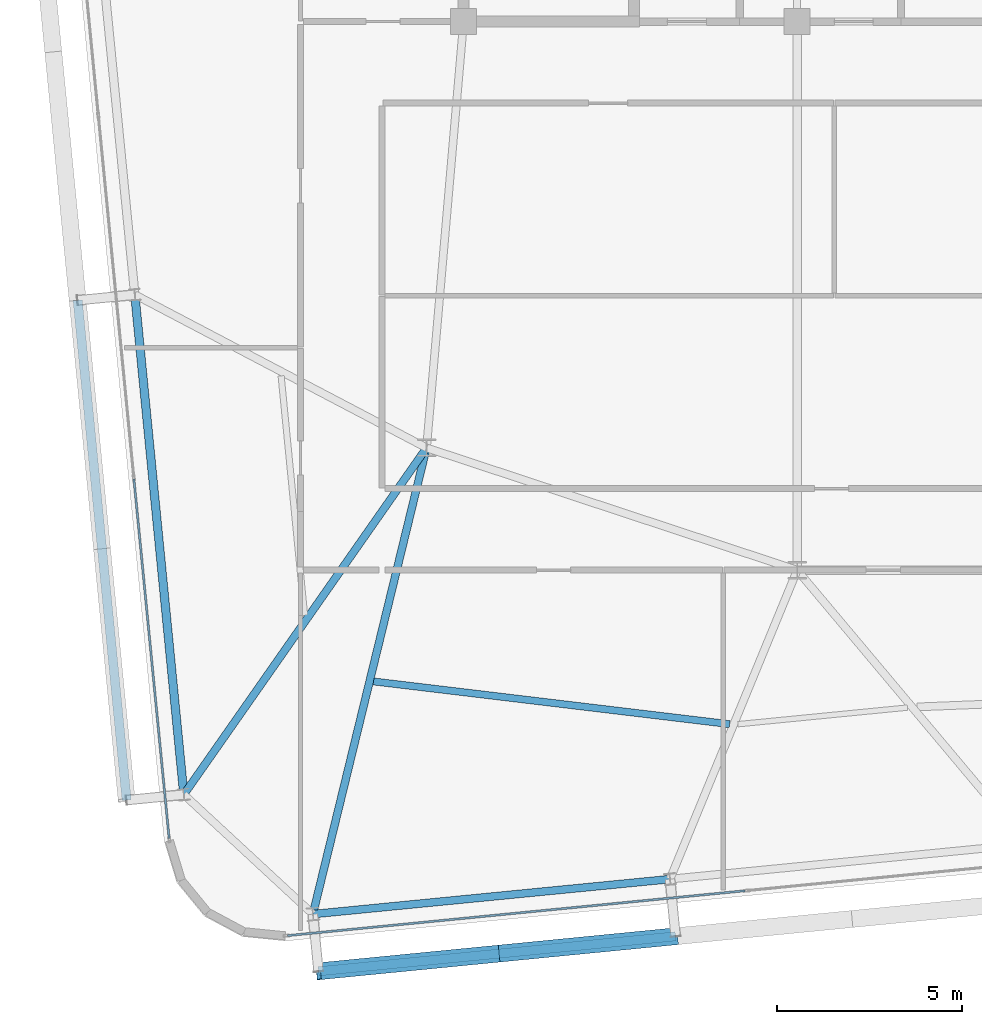
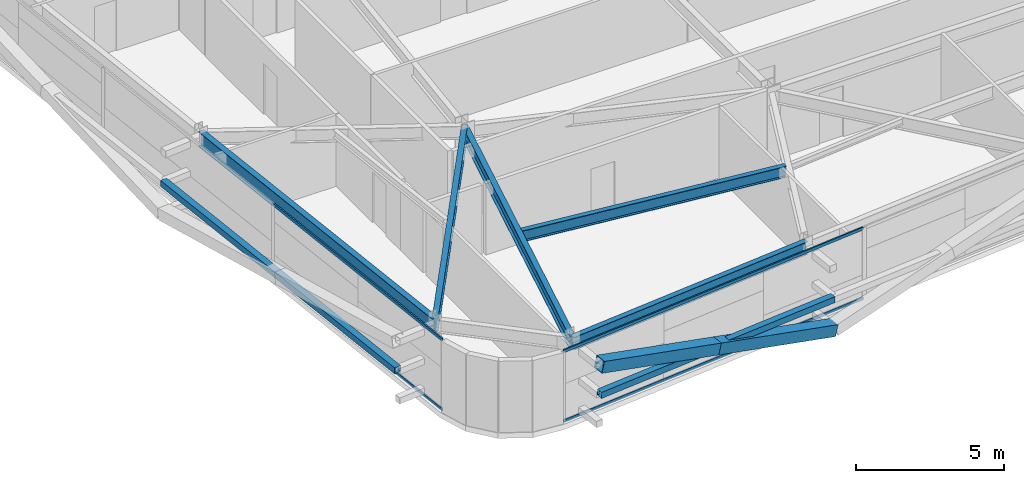
# One storey, part 6 of 47: 8 members, 5 beams, 2 elements without a shape of their own.
"""IFC4 building model written with IfcOpenShell, lengths in metres."""

from ifc_helpers import new_model, si_unit, direction, frame, origin, origin_2d, place, context, subcontext, project, spatial, hollow_rectangle, i_section, extrude, source, transform, mapped, material, layer, layer_set, material_profile, profile_set, type_object, element, aggregate, save


model = new_model("IFC4")

# Units and contexts
model_context = context("Model", 3, precision=1e-05, world=origin(), true_north=direction((0.0, 1.0)))
body_context = subcontext(model_context, "Body", "Model", "MODEL_VIEW")
ifc_project = project(units=[si_unit("LENGTHUNIT", "METRE"), si_unit("AREAUNIT", "SQUARE_METRE"), si_unit("VOLUMEUNIT", "CUBIC_METRE"), si_unit("PLANEANGLEUNIT", "RADIAN"), si_unit("MASSUNIT", "GRAM", prefix="KILO")], contexts=[model_context])

# Site, building, storey
site_placement = place(None, origin())
site = spatial("IfcSite", under=ifc_project, at=site_placement, CompositionType="ELEMENT")
building_placement = place(site_placement, origin())
building = spatial("IfcBuilding", under=site, at=building_placement, Name="Taldren Reach Tower", CompositionType="ELEMENT")
storey_placement = place(building_placement, frame((0.0, 0.0, 90.300048828125)))
storey = spatial("IfcBuildingStorey", under=building, at=storey_placement, Name="L27", CompositionType="ELEMENT", Elevation=90.300048828125)

# Beams
ifc_material_1 = material(Name="Steel Gr 350 (350PLUS)", Category="steel")
ifc_material_profile_1 = material_profile(ifc_material_1, i_section(OverallWidth=0.208984375, OverallDepth=0.528076171875, WebThickness=0.009521484375, FlangeThickness=0.01318359375, at=origin_2d()), Name="530UB82.0")
ifc_profile_set_1 = profile_set([ifc_material_profile_1], Name="Steel Gr 350 (350PLUS)")
beam_type_1 = type_object("IfcBeamType", Name="SP-UB530B", PredefinedType="SPANDREL", material=ifc_profile_set_1)
shared_shape_1 = source(origin(), body_context, "Body", "SweptSolid", [
    extrude(i_section(OverallWidth=0.208984375, OverallDepth=0.528076171875, WebThickness=0.009521484375, FlangeThickness=0.01318359375, at=origin_2d()), origin(), (0.0, 0.0, 1.0), 9.679931640625),
])
beam_1_placement = place(storey_placement, frame((14.93408203125, -0.079833984375, 2.666015625), z_axis=(0.995227612658, 0.097580730699, 0.0), x_axis=(-0.097580730699, 0.995227612658, 0.0)))
element("IfcBeam", 1, at=beam_1_placement, inside=storey, type_object=beam_type_1, Name="Perimeter spandrel B2 S1-S2 L27", PredefinedType="SPANDREL", context=body_context, shape_type="MappedRepresentation", body=[
    mapped(shared_shape_1, transform((0.0, 0.0, 0.0), scale=1.0)),
])
ifc_material_profile_2 = material_profile(ifc_material_1, i_section(OverallWidth=0.22802734375, OverallDepth=0.60205078125, WebThickness=0.010498046875, FlangeThickness=0.014892578125, at=origin_2d()), Name="610UB101")
ifc_profile_set_2 = profile_set([ifc_material_profile_2], Name="Steel Gr 350 (350PLUS)")
beam_type_2 = type_object("IfcBeamType", Name="BM-UB610B", PredefinedType="BEAM", material=ifc_profile_set_2)
shared_shape_2 = source(origin(), body_context, "Body", "SweptSolid", [
    extrude(i_section(OverallWidth=0.22802734375, OverallDepth=0.60205078125, WebThickness=0.010498046875, FlangeThickness=0.014892578125, at=origin_2d()), origin(), (0.0, 0.0, 1.0), 13.550048828125),
])
beam_2_placement = place(storey_placement, frame((10.130615234375, 16.631103515625, 2.62890625), z_axis=(0.097584021339, -0.995227290009, 0.0), x_axis=(0.995227290009, 0.097584021339, 0.0)))
element("IfcBeam", 2, at=beam_2_placement, inside=storey, type_object=beam_type_2, Name="Perimeter gable girder B2 W2-W1 L27", PredefinedType="BEAM", context=body_context, shape_type="MappedRepresentation", body=[
    mapped(shared_shape_2, transform((0.0, 0.0, 0.0), scale=1.0)),
])
ifc_material_profile_3 = material_profile(ifc_material_1, i_section(OverallWidth=0.208984375, OverallDepth=0.532958984375, WebThickness=0.01025390625, FlangeThickness=0.015625, at=origin_2d()), Name="530UB92.4")
ifc_profile_set_3 = profile_set([ifc_material_profile_3], Name="Steel Gr 350 (350PLUS)")
beam_type_3 = type_object("IfcBeamType", Name="BM-UB530A", PredefinedType="BEAM", material=ifc_profile_set_3)
shared_shape_3 = source(origin(), body_context, "Body", "SweptSolid", [
    extrude(i_section(OverallWidth=0.208984375, OverallDepth=0.532958984375, WebThickness=0.01025390625, FlangeThickness=0.015625, at=origin_2d()), origin(), (0.0, 0.0, 1.0), 12.947998046875),
])
beam_3_placement = place(storey_placement, frame((18.0, 12.5, 2.663330078125), z_axis=(-0.236786022782, -0.971561824803, 0.0), x_axis=(0.971561824803, -0.236786022782, 0.0)))
element("IfcBeam", 3, at=beam_3_placement, inside=storey, type_object=beam_type_3, Name="Primary floor girder B2-S1 L27", PredefinedType="BEAM", context=body_context, shape_type="MappedRepresentation", body=[
    mapped(shared_shape_3, transform((0.0, 0.0, 0.0), scale=1.0)),
])
shared_shape_4 = source(origin(), body_context, "Body", "SweptSolid", [
    extrude(i_section(OverallWidth=0.208984375, OverallDepth=0.532958984375, WebThickness=0.01025390625, FlangeThickness=0.015625, at=origin_2d()), origin(), (0.0, 0.0, 1.0), 11.417724609375),
])
beam_4_placement = place(storey_placement, frame((18.0, 12.5, 2.663330078125), z_axis=(-0.573412116146, -0.819267077977, 0.0), x_axis=(0.819267077977, -0.573412116146, 0.0)))
element("IfcBeam", 4, at=beam_4_placement, inside=storey, type_object=beam_type_3, Name="Primary floor girder B2-W1 L27", PredefinedType="BEAM", context=body_context, shape_type="MappedRepresentation", body=[
    mapped(shared_shape_4, transform((0.0, 0.0, 0.0), scale=1.0)),
])
ifc_material_profile_4 = material_profile(ifc_material_1, i_section(OverallWidth=0.19091796875, OverallDepth=0.4599609375, WebThickness=0.010009765625, FlangeThickness=0.01611328125, at=origin_2d()), Name="460UB82.1")
ifc_profile_set_4 = profile_set([ifc_material_profile_4], Name="Steel Gr 350 (350PLUS)")
beam_type_4 = type_object("IfcBeamType", Name="BM-UB460A", PredefinedType="BEAM", material=ifc_profile_set_4)
shared_shape_5 = source(origin(), body_context, "Body", "SweptSolid", [
    extrude(i_section(OverallWidth=0.19091796875, OverallDepth=0.4599609375, WebThickness=0.010009765625, FlangeThickness=0.01611328125, at=origin_2d()), origin(), (0.0, 0.0, 1.0), 9.673583984375),
])
beam_5_placement = place(storey_placement, frame((16.571533203125, 6.197509765625, 2.699951171875), z_axis=(0.992879584922, -0.119122331431, 0.0), x_axis=(0.119122331431, 0.992879584922, 0.0)))
element("IfcBeam", 5, at=beam_5_placement, inside=storey, type_object=beam_type_4, Name="Secondary floor beam B2 J1 L27", PredefinedType="BEAM", context=body_context, shape_type="MappedRepresentation", body=[
    mapped(shared_shape_5, transform((0.0, 0.0, 0.0), scale=1.0)),
])

# Members
ifc_material_2 = material(Name="Steel Gr 450 (C450L0)", Category="steel")
ifc_material_profile_5 = material_profile(ifc_material_2, hollow_rectangle(XDim=0.4599609375, YDim=0.4599609375, WallThickness=0.01611328125, at=origin_2d()), Name="460x460x16.0SHS")
ifc_profile_set_5 = profile_set([ifc_material_profile_5], Name="Steel Gr 450 (C450L0)")
member_type_1 = type_object("IfcMemberType", Name="MB-EXO457", PredefinedType="BRACE", material=ifc_profile_set_5)
shared_shape_6 = source(origin(), body_context, "Body", "SweptSolid", [
    extrude(hollow_rectangle(XDim=0.4599609375, YDim=0.4599609375, WallThickness=0.01611328125, at=origin_2d()), origin(), (0.0, 0.0, 1.0), 4.990234375),
])
for number, where, z_axis, x_axis, name in (
    (6, (24.71923828125, -0.677978515625, 0.219970703125), (-0.965275526283, -0.094619506732, 0.243496010862), (0.097555749586, -0.995230061706, 0.0), "Exoskeleton Diagrid Brace B2-S1 L27"),
    (7, (19.90234375, -1.150146484375, 1.43505859375), (-0.965282554799, -0.094669120301, 0.243448859234), (0.097605711627, -0.995225162995, 0.0), "Exoskeleton Diagrid Brace B2-S1 L27"),
):
    element("IfcMember", number, at=place(storey_placement, frame(where, z_axis=z_axis, x_axis=x_axis)), inside=storey, type_object=member_type_1, Name=name, PredefinedType="BRACE", context=body_context, shape_type="MappedRepresentation", body=[
        mapped(shared_shape_6, transform((0.0, 0.0, 0.0), scale=1.0)),
    ])
ifc_material_3 = material(Name="Steel Gr 350 (C350L0)", Category="steel")
ifc_material_profile_6 = material_profile(ifc_material_3, hollow_rectangle(XDim=0.25, YDim=0.25, WallThickness=0.010009765625, at=origin_2d()), Name="250x250x10.0SHS")
ifc_profile_set_6 = profile_set([ifc_material_profile_6], Name="Steel Gr 350 (C350L0)")
member_type_2 = type_object("IfcMemberType", Name="MB-POST250", PredefinedType="POST", material=ifc_profile_set_6)
shared_shape_7 = source(origin(), body_context, "Body", "SweptSolid", [
    extrude(hollow_rectangle(XDim=0.25, YDim=0.25, WallThickness=0.010009765625, at=origin_2d()), origin(), (0.0, 0.0, 1.0), 9.679931640625),
])
member_1_placement = place(storey_placement, frame((15.08544921875, -1.62255859375, 1.43505859375), z_axis=(0.995227612658, 0.097580730699, 0.0), x_axis=(-0.097580730699, 0.995227612658, 0.0)))
element("IfcMember", 8, at=member_1_placement, inside=storey, type_object=member_type_2, Name="Exoskeleton mid-height ring chord B2-S1 L27", PredefinedType="POST", context=body_context, shape_type="MappedRepresentation", body=[
    mapped(shared_shape_7, transform((0.0, 0.0, 0.0), scale=1.0)),
])
shared_shape_8 = source(origin(), body_context, "Body", "SweptSolid", [
    extrude(hollow_rectangle(XDim=0.25, YDim=0.25, WallThickness=0.010009765625, at=origin_2d()), origin(), (0.0, 0.0, 1.0), 13.5498046875),
])
member_2_placement = place(storey_placement, frame((9.91015625, 2.99462890625, 1.43505859375), z_axis=(-0.097585771221, 0.995227118428, 0.0), x_axis=(-0.995227118428, -0.097585771221, 0.0)))
element("IfcMember", 9, at=member_2_placement, inside=storey, type_object=member_type_2, Name="Exoskeleton mid-height ring chord B2-W1 L27", PredefinedType="POST", context=body_context, shape_type="MappedRepresentation", body=[
    mapped(shared_shape_8, transform((0.0, 0.0, 0.0), scale=1.0)),
])

# Curtain wall, members
ifc_material_4 = material(Name="Aluminium and Low-E Glass Unitised System", Category="aluminium")
ifc_layer = layer(ifc_material_4, 0.159912109375)
ifc_layer_set = layer_set([ifc_layer], Name="Aluminium and Low-E Glass Unitised System")
curtain_wall_type = type_object("IfcCurtainWallType", Name="CW-SYS-3", PredefinedType="NOTDEFINED", material=ifc_layer_set)
curtain_wall_1_placement = place(storey_placement, origin())
curtain_wall_1 = element("IfcCurtainWall", 10, at=curtain_wall_1_placement, inside=storey, type_object=curtain_wall_type, Name="Unitised curtain wall CW-L27-S", PredefinedType="NOTDEFINED")
ifc_material_5 = material(Name="Anodised Aluminium 6063-T6", Category="aluminium")
ifc_material_profile_7 = material_profile(ifc_material_5, hollow_rectangle(XDim=0.054931640625, YDim=0.1201171875, WallThickness=0.0029296875, at=origin_2d()), Name="ALU-120x55x3RHS")
ifc_profile_set_7 = profile_set([ifc_material_profile_7], Name="Anodised Aluminium 6063-T6")
member_type_3 = type_object("IfcMemberType", Name="CW-TRN-135", PredefinedType="USERDEFINED", material=ifc_profile_set_7)
shared_shape_9 = source(origin(), body_context, "Body", "SweptSolid", [
    extrude(hollow_rectangle(XDim=0.054931640625, YDim=0.1201171875, WallThickness=0.0029296875, at=origin_2d()), origin(), (0.0, 0.0, 1.0), 12.40234375),
])
member_3_placement = place(storey_placement, frame((14.25244140625, -0.6591796875, 0.02734375), z_axis=(0.995227887927, 0.097577923186, 0.0), x_axis=(-0.097577923186, 0.995227887927, 0.0)))
member_3 = element("IfcMember", 11, at=member_3_placement, type_object=member_type_3, Name="CW-3 transom 1.1", ObjectType="TRANSOM", PredefinedType="USERDEFINED", context=body_context, shape_type="MappedRepresentation", body=[
    mapped(shared_shape_9, transform((0.0, 0.0, 0.0), scale=1.0)),
])
member_4_placement = place(storey_placement, frame((14.25244140625, -0.6591796875, 2.90234375), z_axis=(0.995227887927, 0.097577923186, 0.0), x_axis=(-0.097577923186, 0.995227887927, 0.0)))
member_4 = element("IfcMember", 12, at=member_4_placement, type_object=member_type_3, Name="CW-3 transom 1.2", ObjectType="TRANSOM", PredefinedType="USERDEFINED", context=body_context, shape_type="MappedRepresentation", body=[
    mapped(shared_shape_9, transform((0.0, 0.0, 0.0), scale=1.0)),
])
aggregate(curtain_wall_1, [member_3, member_4])

curtain_wall_2_placement = place(storey_placement, origin())
curtain_wall_2 = element("IfcCurtainWall", 13, at=curtain_wall_2_placement, inside=storey, type_object=curtain_wall_type, Name="Unitised curtain wall CW-L27-W", PredefinedType="NOTDEFINED")
shared_shape_10 = source(origin(), body_context, "Body", "SweptSolid", [
    extrude(hollow_rectangle(XDim=0.054931640625, YDim=0.1201171875, WallThickness=0.0029296875, at=origin_2d()), origin(), (0.0, 0.0, 1.0), 9.73583984375),
])
member_5_placement = place(storey_placement, frame((10.10595703125, 11.65576171875, 0.02734375), z_axis=(0.097571911043, -0.995228477374, 0.0), x_axis=(0.995228477374, 0.097571911043, 0.0)))
member_5 = element("IfcMember", 14, at=member_5_placement, type_object=member_type_3, Name="CW-3 transom 3.1", ObjectType="TRANSOM", PredefinedType="USERDEFINED", context=body_context, shape_type="MappedRepresentation", body=[
    mapped(shared_shape_10, transform((0.0, 0.0, 0.0), scale=1.0)),
])
member_6_placement = place(storey_placement, frame((10.10595703125, 11.65576171875, 2.90234375), z_axis=(0.097571911043, -0.995228477374, 0.0), x_axis=(0.995228477374, 0.097571911043, 0.0)))
member_6 = element("IfcMember", 15, at=member_6_placement, type_object=member_type_3, Name="CW-3 transom 3.2", ObjectType="TRANSOM", PredefinedType="USERDEFINED", context=body_context, shape_type="MappedRepresentation", body=[
    mapped(shared_shape_10, transform((0.0, 0.0, 0.0), scale=1.0)),
])
aggregate(curtain_wall_2, [member_5, member_6])

save(model, "model.ifc")
